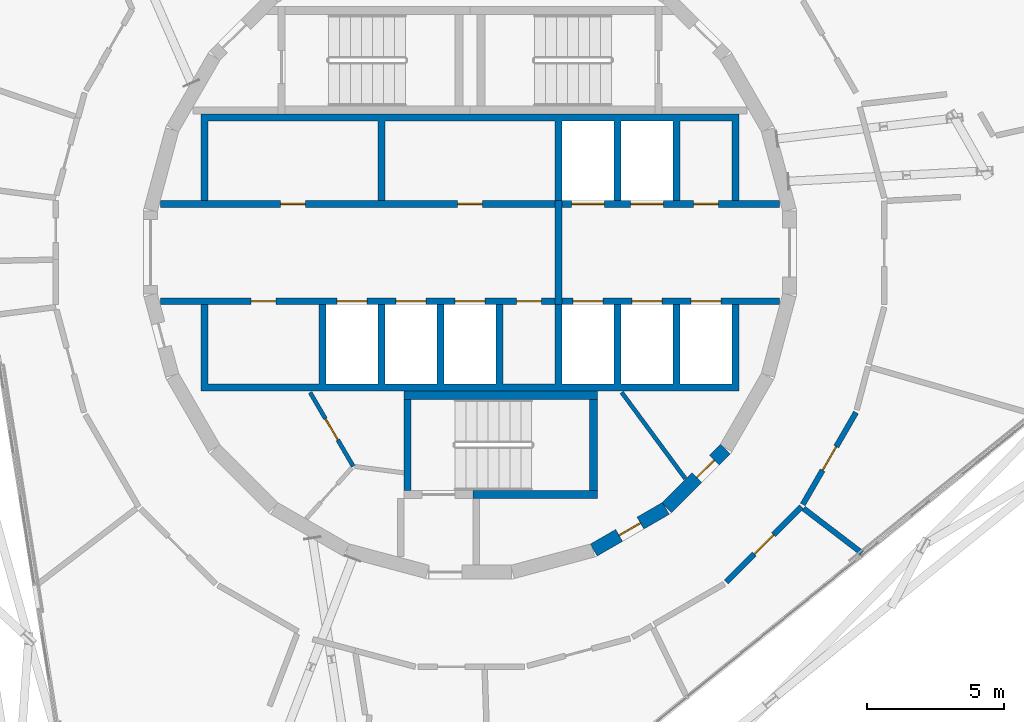
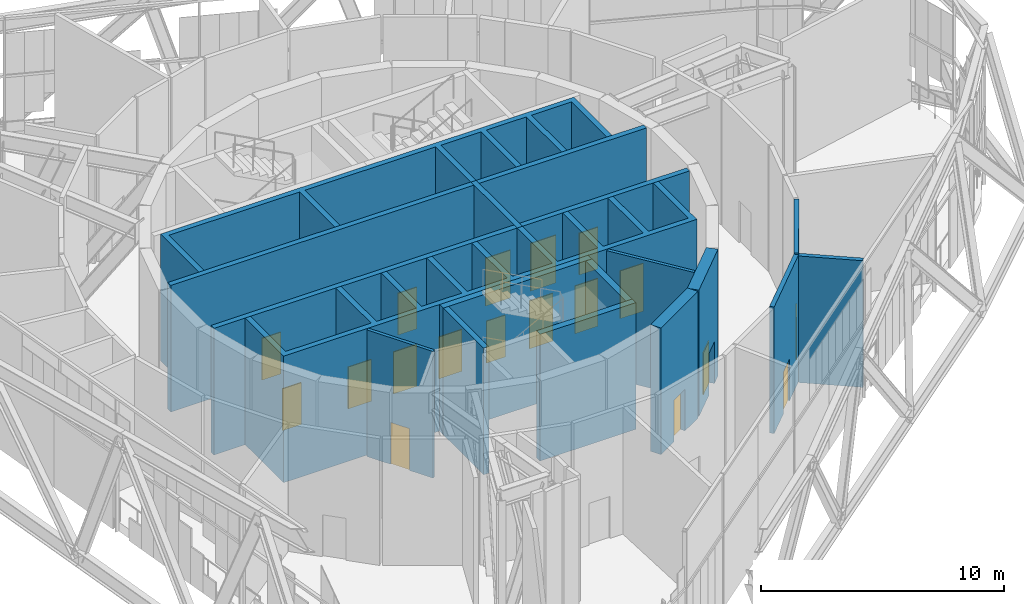
# One storey, part 20 of 25: 18 doors, 18 walls, 18 openings.
"""IFC4 building model written with IfcOpenShell, lengths in metres."""

from ifc_helpers import new_model, si_unit, direction, frame, frame_2d, origin, place, context, subcontext, project, spatial, polyline, rectangle, outline, extrude, material, layer, layer_set, type_object, element, fill, save


model = new_model("IFC4")

# Units and contexts
model_context = context("Model", 3, precision=1e-05, world=origin(), true_north=direction((0.0, 1.0)))
body_context = subcontext(model_context, "Body", "Model", "MODEL_VIEW")
ifc_project = project(units=[si_unit("LENGTHUNIT", "METRE"), si_unit("AREAUNIT", "SQUARE_METRE"), si_unit("VOLUMEUNIT", "CUBIC_METRE"), si_unit("PLANEANGLEUNIT", "RADIAN"), si_unit("MASSUNIT", "GRAM", prefix="KILO")], contexts=[model_context])

# Site, building, storey
site_placement = place(None, origin())
site = spatial("IfcSite", under=ifc_project, at=site_placement, CompositionType="ELEMENT")
building_placement = place(site_placement, origin())
building = spatial("IfcBuilding", under=site, at=building_placement, Name="Spindle Arch Residences", CompositionType="ELEMENT")
storey_placement = place(building_placement, frame((0.0, 0.0, 291.39990234375)))
storey = spatial("IfcBuildingStorey", under=building, at=storey_placement, Name="L75", CompositionType="ELEMENT", Elevation=291.39990234375)

# Wall, opening, door
ifc_material_1 = material(Name="Concrete C50/60", Category="concrete")
ifc_layer_1 = layer(ifc_material_1, 0.5)
ifc_layer_set_1 = layer_set([ifc_layer_1], Name="Core outline wall 500")
wall_type_1 = type_object("IfcWallType", Name="Core outline wall 500", PredefinedType="SHEAR", material=ifc_layer_set_1)
wall_1_placement = place(storey_placement, frame((4.510498046875, -10.84521484375, 0.0), z_axis=(0.0, 0.0, 1.0), x_axis=(0.865975092491, 0.500087131594, 0.0)))
wall_1 = element("IfcWall", 1, at=wall_1_placement, inside=storey, type_object=wall_type_1, Name="Core outline wall 2", PredefinedType="SHEAR", context=body_context, shape_type="SweptSolid", body=[
    extrude(rectangle(XDim=3.03271484375, YDim=0.5, at=frame_2d((1.516357421875, 0.0))), origin(), (0.0, 0.0, 1.0), 6.35009765625),
])
opening_1_placement = place(wall_1_placement, frame((1.06640625, 0.0, 0.0)))
opening_1 = element("IfcOpeningElement", 2, at=opening_1_placement, cuts=wall_1, Name="Opening L75-WD08", PredefinedType="OPENING", context=body_context, shape_type="SweptSolid", body=[
    extrude(rectangle(XDim=0.89990234375, YDim=2.10009765625, at=frame_2d((0.449951171875, 1.050048828125))), frame((0.0, 0.260009765625, 0.0), z_axis=(0.0, -1.0, 0.0), x_axis=(1.0, 0.0, 0.0)), (0.0, 0.0, 1.0), 0.52001953125),
])
ifc_material_2 = material(Name="Steel, fire-resisting door", Category="steel")
door_type_1 = type_object("IfcDoorType", Name="Service room door 900x2100", OperationType="SINGLE_SWING_LEFT", PredefinedType="DOOR", material=ifc_material_2)
door_1_placement = place(opening_1_placement, origin())
door_1 = element("IfcDoor", 3, at=door_1_placement, inside=storey, type_object=door_type_1, Name="Service room door L75-WD08", OperationType="SINGLE_SWING_RIGHT", OverallHeight=2.10009765625, OverallWidth=0.89990234375, PredefinedType="DOOR", context=body_context, shape_type="SweptSolid", body=[
    extrude(rectangle(XDim=0.89990234375, YDim=2.10009765625, at=frame_2d((0.449951171875, 1.050048828125))), frame((0.0, 0.02490234375, 0.0), z_axis=(0.0, -1.0, 0.0), x_axis=(1.0, 0.0, 0.0)), (0.0, 0.0, 1.0), 0.050048828125),
])
fill(opening_1, door_1)

wall_2_placement = place(storey_placement, frame((7.163818359375, -9.30810546875, 0.0), z_axis=(0.0, 0.0, 1.0), x_axis=(0.707106781187, 0.707106781187, 0.0)))
wall_2 = element("IfcWall", 4, at=wall_2_placement, inside=storey, type_object=wall_type_1, Name="Core outline wall 3", PredefinedType="SHEAR", context=body_context, shape_type="SweptSolid", body=[
    extrude(rectangle(XDim=3.032470703125, YDim=0.5, at=frame_2d((1.51611328125, 0.0))), origin(), (0.0, 0.0, 1.0), 6.35009765625),
])
opening_2_placement = place(wall_2_placement, frame((1.56640625, 0.0, 0.0)))
opening_2 = element("IfcOpeningElement", 5, at=opening_2_placement, cuts=wall_2, Name="Opening L75-WD09", PredefinedType="OPENING", context=body_context, shape_type="SweptSolid", body=[
    extrude(rectangle(XDim=0.89990234375, YDim=2.10009765625, at=frame_2d((0.449951171875, 1.050048828125))), frame((0.0, 0.260009765625, 0.0), z_axis=(0.0, -1.0, 0.0), x_axis=(1.0, 0.0, 0.0)), (0.0, 0.0, 1.0), 0.52001953125),
])
door_2_placement = place(opening_2_placement, origin())
door_2 = element("IfcDoor", 6, at=door_2_placement, inside=storey, type_object=door_type_1, Name="Service room door L75-WD09", OperationType="SINGLE_SWING_LEFT", OverallHeight=2.10009765625, OverallWidth=0.89990234375, PredefinedType="DOOR", context=body_context, shape_type="SweptSolid", body=[
    extrude(rectangle(XDim=0.89990234375, YDim=2.10009765625, at=frame_2d((0.449951171875, 1.050048828125))), frame((0.0, 0.02490234375, 0.0), z_axis=(0.0, -1.0, 0.0), x_axis=(1.0, 0.0, 0.0)), (0.0, 0.0, 1.0), 0.050048828125),
])
fill(opening_2, door_2)

# Wall, openings, doors
ifc_material_3 = material(Name="Concrete C40/50", Category="concrete")
ifc_layer_2 = layer(ifc_material_3, 0.25)
ifc_layer_set_2 = layer_set([ifc_layer_2], Name="Fire-lift lobby wall 250")
wall_type_2 = type_object("IfcWallType", Name="Fire-lift lobby wall 250", PredefinedType="SHEAR", material=ifc_layer_set_2)
wall_3_placement = place(storey_placement, frame((3.35009765625, 1.77490234375, 0.0), z_axis=(0.0, 0.0, 1.0), x_axis=(1.0, 0.0, 0.0)))
wall_3 = element("IfcWall", 7, at=wall_3_placement, inside=storey, type_object=wall_type_2, Name="Lift shaft front wall NE", PredefinedType="SHEAR", context=body_context, shape_type="SweptSolid", body=[
    extrude(rectangle(XDim=7.929931640625, YDim=0.25, at=frame_2d((3.96484375, 0.0))), origin(), (0.0, 0.0, 1.0), 6.35009765625),
])
opening_3_placement = place(wall_3_placement, frame((0.35009765625, 0.0, 0.0)))
opening_3 = element("IfcOpeningElement", 8, at=opening_3_placement, cuts=wall_3, Name="Opening L75-SLD01", PredefinedType="OPENING", context=body_context, shape_type="SweptSolid", body=[
    extrude(rectangle(XDim=1.199951171875, YDim=2.39990234375, at=frame_2d((0.60009765625, 1.199951171875))), frame((0.0, 0.135009765625, 0.0), z_axis=(0.0, -1.0, 0.0), x_axis=(1.0, 0.0, 0.0)), (0.0, 0.0, 1.0), 0.27001953125),
])
opening_4_placement = place(wall_3_placement, frame((2.5, 0.0, 0.0)))
opening_4 = element("IfcOpeningElement", 9, at=opening_4_placement, cuts=wall_3, Name="Opening L75-SLD02", PredefinedType="OPENING", context=body_context, shape_type="SweptSolid", body=[
    extrude(rectangle(XDim=1.199951171875, YDim=2.39990234375, at=frame_2d((0.60009765625, 1.199951171875))), frame((0.0, 0.135009765625, 0.0), z_axis=(0.0, -1.0, 0.0), x_axis=(1.0, 0.0, 0.0)), (0.0, 0.0, 1.0), 0.27001953125),
])
opening_5_placement = place(wall_3_placement, frame((4.800048828125, 0.0, 0.0)))
opening_5 = element("IfcOpeningElement", 10, at=opening_5_placement, cuts=wall_3, Name="Opening L75-WD03", PredefinedType="OPENING", context=body_context, shape_type="SweptSolid", body=[
    extrude(rectangle(XDim=0.89990234375, YDim=2.10009765625, at=frame_2d((0.449951171875, 1.050048828125))), frame((0.0, 0.135009765625, 0.0), z_axis=(0.0, -1.0, 0.0), x_axis=(1.0, 0.0, 0.0)), (0.0, 0.0, 1.0), 0.27001953125),
])
ifc_material_4 = material(Name="Steel, fire-resisting landing door", Category="steel")
door_type_2 = type_object("IfcDoorType", Name="Service lift landing door 1200x2400", OperationType="DOUBLE_DOOR_SLIDING", PredefinedType="DOOR", material=ifc_material_4)
door_3_placement = place(opening_3_placement, origin())
door_3 = element("IfcDoor", 11, at=door_3_placement, inside=storey, type_object=door_type_2, Name="Service lift landing door L75-SLD01", OperationType="DOUBLE_DOOR_SLIDING", OverallHeight=2.39990234375, OverallWidth=1.199951171875, PredefinedType="DOOR", context=body_context, shape_type="SweptSolid", body=[
    extrude(rectangle(XDim=1.199951171875, YDim=2.39990234375, at=frame_2d((0.60009765625, 1.199951171875))), frame((0.0, 0.02490234375, 0.0), z_axis=(0.0, -1.0, 0.0), x_axis=(1.0, 0.0, 0.0)), (0.0, 0.0, 1.0), 0.050048828125),
])
fill(opening_3, door_3)
door_4_placement = place(opening_4_placement, origin())
door_4 = element("IfcDoor", 12, at=door_4_placement, inside=storey, type_object=door_type_2, Name="Service lift landing door L75-SLD02", OperationType="DOUBLE_DOOR_SLIDING", OverallHeight=2.39990234375, OverallWidth=1.199951171875, PredefinedType="DOOR", context=body_context, shape_type="SweptSolid", body=[
    extrude(rectangle(XDim=1.199951171875, YDim=2.39990234375, at=frame_2d((0.60009765625, 1.199951171875))), frame((0.0, 0.02490234375, 0.0), z_axis=(0.0, -1.0, 0.0), x_axis=(1.0, 0.0, 0.0)), (0.0, 0.0, 1.0), 0.050048828125),
])
fill(opening_4, door_4)
door_5_placement = place(opening_5_placement, origin())
door_5 = element("IfcDoor", 13, at=door_5_placement, inside=storey, type_object=door_type_1, Name="Service room door L75-WD03", OperationType="SINGLE_SWING_LEFT", OverallHeight=2.10009765625, OverallWidth=0.89990234375, PredefinedType="DOOR", context=body_context, shape_type="SweptSolid", body=[
    extrude(rectangle(XDim=0.89990234375, YDim=2.10009765625, at=frame_2d((0.449951171875, 1.050048828125))), frame((0.0, 0.02490234375, 0.0), z_axis=(0.0, -1.0, 0.0), x_axis=(1.0, 0.0, 0.0)), (0.0, 0.0, 1.0), 0.050048828125),
])
fill(opening_5, door_5)

# Wall
wall_4_placement = place(storey_placement, frame((3.22509765625, -1.89990234375, 0.0), z_axis=(0.0, 0.0, 1.0), x_axis=(0.0, 1.0, 0.0)))
element("IfcWall", 14, at=wall_4_placement, inside=storey, type_object=wall_type_2, Name="Fire-fighting lobby partition", PredefinedType="SHEAR", context=body_context, shape_type="SweptSolid", body=[
    extrude(rectangle(XDim=3.7998046875, YDim=0.25, at=frame_2d((1.89990234375, 0.0))), origin(), (0.0, 0.0, 1.0), 6.35009765625),
])

# Wall, openings, doors
ifc_material_5 = material(Name="Concrete C50/60", Category="concrete")
ifc_layer_3 = layer(ifc_material_5, 0.25)
ifc_layer_set_3 = layer_set([ifc_layer_3], Name="Fire-lift shaft wall 250")
wall_type_3 = type_object("IfcWallType", Name="Fire-lift shaft wall 250", PredefinedType="SHEAR", material=ifc_layer_set_3)
wall_5_placement = place(storey_placement, frame((3.35009765625, -1.77490234375, 0.0), z_axis=(0.0, 0.0, 1.0), x_axis=(1.0, 0.0, 0.0)))
wall_5 = element("IfcWall", 15, at=wall_5_placement, inside=storey, type_object=wall_type_3, Name="Lift shaft front wall SE", PredefinedType="SHEAR", context=body_context, shape_type="SweptSolid", body=[
    extrude(rectangle(XDim=7.929931640625, YDim=0.25, at=frame_2d((3.96484375, 0.0))), origin(), (0.0, 0.0, 1.0), 6.35009765625),
])
opening_6_placement = place(wall_5_placement, frame((0.39990234375, 0.0, 0.0)))
opening_6 = element("IfcOpeningElement", 16, at=opening_6_placement, cuts=wall_5, Name="Opening L75-FLD01", PredefinedType="OPENING", context=body_context, shape_type="SweptSolid", body=[
    extrude(rectangle(XDim=1.10009765625, YDim=2.39990234375, at=frame_2d((0.550048828125, 1.199951171875))), frame((0.0, 0.135009765625, 0.0), z_axis=(0.0, -1.0, 0.0), x_axis=(1.0, 0.0, 0.0)), (0.0, 0.0, 1.0), 0.27001953125),
])
opening_7_placement = place(wall_5_placement, frame((2.550048828125, 0.0, 0.0)))
opening_7 = element("IfcOpeningElement", 17, at=opening_7_placement, cuts=wall_5, Name="Opening L75-FLD02", PredefinedType="OPENING", context=body_context, shape_type="SweptSolid", body=[
    extrude(rectangle(XDim=1.10009765625, YDim=2.39990234375, at=frame_2d((0.550048828125, 1.199951171875))), frame((0.0, 0.135009765625, 0.0), z_axis=(0.0, -1.0, 0.0), x_axis=(1.0, 0.0, 0.0)), (0.0, 0.0, 1.0), 0.27001953125),
])
opening_8_placement = place(wall_5_placement, frame((4.699951171875, 0.0, 0.0)))
opening_8 = element("IfcOpeningElement", 18, at=opening_8_placement, cuts=wall_5, Name="Opening L75-FLD03", PredefinedType="OPENING", context=body_context, shape_type="SweptSolid", body=[
    extrude(rectangle(XDim=1.10009765625, YDim=2.39990234375, at=frame_2d((0.550048828125, 1.199951171875))), frame((0.0, 0.135009765625, 0.0), z_axis=(0.0, -1.0, 0.0), x_axis=(1.0, 0.0, 0.0)), (0.0, 0.0, 1.0), 0.27001953125),
])
ifc_material_6 = material(Name="Steel, fire-resisting landing door", Category="steel")
door_type_3 = type_object("IfcDoorType", Name="Fire-fighting lift landing door 1100x2400", OperationType="DOUBLE_DOOR_SLIDING", PredefinedType="DOOR", material=ifc_material_6)
door_6_placement = place(opening_6_placement, origin())
door_6 = element("IfcDoor", 19, at=door_6_placement, inside=storey, type_object=door_type_3, Name="Fire-fighting lift landing door L75-FLD01", OperationType="DOUBLE_DOOR_SLIDING", OverallHeight=2.39990234375, OverallWidth=1.10009765625, PredefinedType="DOOR", context=body_context, shape_type="SweptSolid", body=[
    extrude(rectangle(XDim=1.10009765625, YDim=2.39990234375, at=frame_2d((0.550048828125, 1.199951171875))), frame((0.0, 0.02490234375, 0.0), z_axis=(0.0, -1.0, 0.0), x_axis=(1.0, 0.0, 0.0)), (0.0, 0.0, 1.0), 0.050048828125),
])
fill(opening_6, door_6)
door_7_placement = place(opening_7_placement, origin())
door_7 = element("IfcDoor", 20, at=door_7_placement, inside=storey, type_object=door_type_3, Name="Fire-fighting lift landing door L75-FLD02", OperationType="DOUBLE_DOOR_SLIDING", OverallHeight=2.39990234375, OverallWidth=1.10009765625, PredefinedType="DOOR", context=body_context, shape_type="SweptSolid", body=[
    extrude(rectangle(XDim=1.10009765625, YDim=2.39990234375, at=frame_2d((0.550048828125, 1.199951171875))), frame((0.0, 0.02490234375, 0.0), z_axis=(0.0, -1.0, 0.0), x_axis=(1.0, 0.0, 0.0)), (0.0, 0.0, 1.0), 0.050048828125),
])
fill(opening_7, door_7)
door_8_placement = place(opening_8_placement, origin())
door_8 = element("IfcDoor", 21, at=door_8_placement, inside=storey, type_object=door_type_3, Name="Fire-fighting lift landing door L75-FLD03", OperationType="DOUBLE_DOOR_SLIDING", OverallHeight=2.39990234375, OverallWidth=1.10009765625, PredefinedType="DOOR", context=body_context, shape_type="SweptSolid", body=[
    extrude(rectangle(XDim=1.10009765625, YDim=2.39990234375, at=frame_2d((0.550048828125, 1.199951171875))), frame((0.0, 0.02490234375, 0.0), z_axis=(0.0, -1.0, 0.0), x_axis=(1.0, 0.0, 0.0)), (0.0, 0.0, 1.0), 0.050048828125),
])
fill(opening_8, door_8)

ifc_material_7 = material(Name="Concrete C50/60", Category="concrete")
ifc_layer_4 = layer(ifc_material_7, 0.25)
ifc_layer_set_4 = layer_set([ifc_layer_4], Name="Lift shaft wall 250")
wall_type_4 = type_object("IfcWallType", Name="Lift shaft wall 250", PredefinedType="SHEAR", material=ifc_layer_set_4)
wall_6_placement = place(storey_placement, frame((-11.280029296875, 1.77490234375, 0.0), z_axis=(0.0, 0.0, 1.0), x_axis=(1.0, 0.0, 0.0)))
wall_6 = element("IfcWall", 22, at=wall_6_placement, inside=storey, type_object=wall_type_4, Name="Lift shaft front wall NW", PredefinedType="SHEAR", context=body_context, shape_type="SweptSolid", body=[
    extrude(rectangle(XDim=14.380126953125, YDim=0.25, at=frame_2d((7.18994140625, 0.0))), origin(), (0.0, 0.0, 1.0), 6.35009765625),
])
opening_9_placement = place(wall_6_placement, frame((4.3798828125, 0.0, 0.0)))
opening_9 = element("IfcOpeningElement", 23, at=opening_9_placement, cuts=wall_6, Name="Opening L75-WD01", PredefinedType="OPENING", context=body_context, shape_type="SweptSolid", body=[
    extrude(rectangle(XDim=0.89990234375, YDim=2.10009765625, at=frame_2d((0.449951171875, 1.050048828125))), frame((0.0, 0.135009765625, 0.0), z_axis=(0.0, -1.0, 0.0), x_axis=(1.0, 0.0, 0.0)), (0.0, 0.0, 1.0), 0.27001953125),
])
opening_10_placement = place(wall_6_placement, frame((10.830078125, 0.0, 0.0)))
opening_10 = element("IfcOpeningElement", 24, at=opening_10_placement, cuts=wall_6, Name="Opening L75-WD02", PredefinedType="OPENING", context=body_context, shape_type="SweptSolid", body=[
    extrude(rectangle(XDim=0.89990234375, YDim=2.10009765625, at=frame_2d((0.449951171875, 1.050048828125))), frame((0.0, 0.135009765625, 0.0), z_axis=(0.0, -1.0, 0.0), x_axis=(1.0, 0.0, 0.0)), (0.0, 0.0, 1.0), 0.27001953125),
])
door_9_placement = place(opening_9_placement, origin())
door_9 = element("IfcDoor", 25, at=door_9_placement, inside=storey, type_object=door_type_1, Name="Service room door L75-WD01", OperationType="SINGLE_SWING_LEFT", OverallHeight=2.10009765625, OverallWidth=0.89990234375, PredefinedType="DOOR", context=body_context, shape_type="SweptSolid", body=[
    extrude(rectangle(XDim=0.89990234375, YDim=2.10009765625, at=frame_2d((0.449951171875, 1.050048828125))), frame((0.0, 0.02490234375, 0.0), z_axis=(0.0, -1.0, 0.0), x_axis=(1.0, 0.0, 0.0)), (0.0, 0.0, 1.0), 0.050048828125),
])
fill(opening_9, door_9)
door_10_placement = place(opening_10_placement, origin())
door_10 = element("IfcDoor", 26, at=door_10_placement, inside=storey, type_object=door_type_1, Name="Service room door L75-WD02", OperationType="SINGLE_SWING_RIGHT", OverallHeight=2.10009765625, OverallWidth=0.89990234375, PredefinedType="DOOR", context=body_context, shape_type="SweptSolid", body=[
    extrude(rectangle(XDim=0.89990234375, YDim=2.10009765625, at=frame_2d((0.449951171875, 1.050048828125))), frame((0.0, 0.02490234375, 0.0), z_axis=(0.0, -1.0, 0.0), x_axis=(1.0, 0.0, 0.0)), (0.0, 0.0, 1.0), 0.050048828125),
])
fill(opening_10, door_10)

wall_7_placement = place(storey_placement, frame((-11.280029296875, -1.77490234375, 0.0), z_axis=(0.0, 0.0, 1.0), x_axis=(1.0, 0.0, 0.0)))
wall_7 = element("IfcWall", 27, at=wall_7_placement, inside=storey, type_object=wall_type_4, Name="Lift shaft front wall SW", PredefinedType="SHEAR", context=body_context, shape_type="SweptSolid", body=[
    extrude(rectangle(XDim=14.380126953125, YDim=0.25, at=frame_2d((7.18994140625, 0.0))), origin(), (0.0, 0.0, 1.0), 6.35009765625),
])
opening_11_placement = place(wall_7_placement, frame((6.429931640625, 0.0, 0.0)))
opening_11 = element("IfcOpeningElement", 28, at=opening_11_placement, cuts=wall_7, Name="Opening L75-LD01", PredefinedType="OPENING", context=body_context, shape_type="SweptSolid", body=[
    extrude(rectangle(XDim=1.10009765625, YDim=2.10009765625, at=frame_2d((0.550048828125, 1.050048828125))), frame((0.0, 0.135009765625, 0.0), z_axis=(0.0, -1.0, 0.0), x_axis=(1.0, 0.0, 0.0)), (0.0, 0.0, 1.0), 0.27001953125),
])
opening_12_placement = place(wall_7_placement, frame((8.580078125, 0.0, 0.0)))
opening_12 = element("IfcOpeningElement", 29, at=opening_12_placement, cuts=wall_7, Name="Opening L75-LD02", PredefinedType="OPENING", context=body_context, shape_type="SweptSolid", body=[
    extrude(rectangle(XDim=1.10009765625, YDim=2.10009765625, at=frame_2d((0.550048828125, 1.050048828125))), frame((0.0, 0.135009765625, 0.0), z_axis=(0.0, -1.0, 0.0), x_axis=(1.0, 0.0, 0.0)), (0.0, 0.0, 1.0), 0.27001953125),
])
opening_13_placement = place(wall_7_placement, frame((10.72998046875, 0.0, 0.0)))
opening_13 = element("IfcOpeningElement", 30, at=opening_13_placement, cuts=wall_7, Name="Opening L75-LD03", PredefinedType="OPENING", context=body_context, shape_type="SweptSolid", body=[
    extrude(rectangle(XDim=1.10009765625, YDim=2.10009765625, at=frame_2d((0.550048828125, 1.050048828125))), frame((0.0, 0.135009765625, 0.0), z_axis=(0.0, -1.0, 0.0), x_axis=(1.0, 0.0, 0.0)), (0.0, 0.0, 1.0), 0.27001953125),
])
opening_14_placement = place(wall_7_placement, frame((3.304931640625, 0.0, 0.0)))
opening_14 = element("IfcOpeningElement", 31, at=opening_14_placement, cuts=wall_7, Name="Opening L75-WD04", PredefinedType="OPENING", context=body_context, shape_type="SweptSolid", body=[
    extrude(rectangle(XDim=0.89990234375, YDim=2.10009765625, at=frame_2d((0.449951171875, 1.050048828125))), frame((0.0, 0.135009765625, 0.0), z_axis=(0.0, -1.0, 0.0), x_axis=(1.0, 0.0, 0.0)), (0.0, 0.0, 1.0), 0.27001953125),
])
opening_15_placement = place(wall_7_placement, frame((12.97998046875, 0.0, 0.0)))
opening_15 = element("IfcOpeningElement", 32, at=opening_15_placement, cuts=wall_7, Name="Opening L75-WD05", PredefinedType="OPENING", context=body_context, shape_type="SweptSolid", body=[
    extrude(rectangle(XDim=0.89990234375, YDim=2.10009765625, at=frame_2d((0.449951171875, 1.050048828125))), frame((0.0, 0.135009765625, 0.0), z_axis=(0.0, -1.0, 0.0), x_axis=(1.0, 0.0, 0.0)), (0.0, 0.0, 1.0), 0.27001953125),
])
ifc_material_8 = material(Name="Steel, fire-resisting landing door", Category="steel")
door_type_4 = type_object("IfcDoorType", Name="Lift landing door 1100x2100", OperationType="DOUBLE_DOOR_SLIDING", PredefinedType="DOOR", material=ifc_material_8)
door_11_placement = place(opening_11_placement, origin())
door_11 = element("IfcDoor", 33, at=door_11_placement, inside=storey, type_object=door_type_4, Name="Lift landing door L75-LD01", OperationType="DOUBLE_DOOR_SLIDING", OverallHeight=2.10009765625, OverallWidth=1.10009765625, PredefinedType="DOOR", context=body_context, shape_type="SweptSolid", body=[
    extrude(rectangle(XDim=1.10009765625, YDim=2.10009765625, at=frame_2d((0.550048828125, 1.050048828125))), frame((0.0, 0.02490234375, 0.0), z_axis=(0.0, -1.0, 0.0), x_axis=(1.0, 0.0, 0.0)), (0.0, 0.0, 1.0), 0.050048828125),
])
fill(opening_11, door_11)
door_12_placement = place(opening_12_placement, origin())
door_12 = element("IfcDoor", 34, at=door_12_placement, inside=storey, type_object=door_type_4, Name="Lift landing door L75-LD02", OperationType="DOUBLE_DOOR_SLIDING", OverallHeight=2.10009765625, OverallWidth=1.10009765625, PredefinedType="DOOR", context=body_context, shape_type="SweptSolid", body=[
    extrude(rectangle(XDim=1.10009765625, YDim=2.10009765625, at=frame_2d((0.550048828125, 1.050048828125))), frame((0.0, 0.02490234375, 0.0), z_axis=(0.0, -1.0, 0.0), x_axis=(1.0, 0.0, 0.0)), (0.0, 0.0, 1.0), 0.050048828125),
])
fill(opening_12, door_12)
door_13_placement = place(opening_13_placement, origin())
door_13 = element("IfcDoor", 35, at=door_13_placement, inside=storey, type_object=door_type_4, Name="Lift landing door L75-LD03", OperationType="DOUBLE_DOOR_SLIDING", OverallHeight=2.10009765625, OverallWidth=1.10009765625, PredefinedType="DOOR", context=body_context, shape_type="SweptSolid", body=[
    extrude(rectangle(XDim=1.10009765625, YDim=2.10009765625, at=frame_2d((0.550048828125, 1.050048828125))), frame((0.0, 0.02490234375, 0.0), z_axis=(0.0, -1.0, 0.0), x_axis=(1.0, 0.0, 0.0)), (0.0, 0.0, 1.0), 0.050048828125),
])
fill(opening_13, door_13)
door_14_placement = place(opening_14_placement, origin())
door_14 = element("IfcDoor", 36, at=door_14_placement, inside=storey, type_object=door_type_1, Name="Service room door L75-WD04", OperationType="SINGLE_SWING_RIGHT", OverallHeight=2.10009765625, OverallWidth=0.89990234375, PredefinedType="DOOR", context=body_context, shape_type="SweptSolid", body=[
    extrude(rectangle(XDim=0.89990234375, YDim=2.10009765625, at=frame_2d((0.449951171875, 1.050048828125))), frame((0.0, 0.02490234375, 0.0), z_axis=(0.0, -1.0, 0.0), x_axis=(1.0, 0.0, 0.0)), (0.0, 0.0, 1.0), 0.050048828125),
])
fill(opening_14, door_14)
door_15_placement = place(opening_15_placement, origin())
door_15 = element("IfcDoor", 37, at=door_15_placement, inside=storey, type_object=door_type_1, Name="Service room door L75-WD05", OperationType="SINGLE_SWING_LEFT", OverallHeight=2.10009765625, OverallWidth=0.89990234375, PredefinedType="DOOR", context=body_context, shape_type="SweptSolid", body=[
    extrude(rectangle(XDim=0.89990234375, YDim=2.10009765625, at=frame_2d((0.449951171875, 1.050048828125))), frame((0.0, 0.02490234375, 0.0), z_axis=(0.0, -1.0, 0.0), x_axis=(1.0, 0.0, 0.0)), (0.0, 0.0, 1.0), 0.050048828125),
])
fill(opening_15, door_15)

# Walls
ifc_material_9 = material(Name="Concrete C50/60", Category="concrete")
wall_type_5 = type_object("IfcWallType", Name="Lift shaft wall profile", PredefinedType="SHEAR", material=ifc_material_9)
wall_8_placement = place(storey_placement, origin())
element("IfcWall", 38, at=wall_8_placement, inside=storey, type_object=wall_type_5, Name="Lift shaft walls N", PredefinedType="SHEAR", context=body_context, shape_type="SweptSolid", body=[
    extrude(outline(polyline([(-9.800048828125, 1.89990234375), (-9.550048828125, 1.89990234375), (-9.550048828125, 4.800048828125), (-3.35009765625, 4.800048828125), (-3.35009765625, 1.89990234375), (-3.10009765625, 1.89990234375), (-3.10009765625, 4.800048828125), (3.10009765625, 4.800048828125), (3.10009765625, 1.89990234375), (3.35009765625, 1.89990234375), (3.35009765625, 4.800048828125), (5.25, 4.800048828125), (5.25, 1.89990234375), (5.5, 1.89990234375), (5.5, 4.800048828125), (7.39990234375, 4.800048828125), (7.39990234375, 1.89990234375), (7.64990234375, 1.89990234375), (7.64990234375, 4.800048828125), (9.550048828125, 4.800048828125), (9.550048828125, 1.89990234375), (9.800048828125, 1.89990234375), (9.800048828125, 4.800048828125), (9.800048828125, 5.050048828125), (-9.800048828125, 5.050048828125), (-9.800048828125, 4.800048828125), (-9.800048828125, 1.89990234375)])), origin(), (0.0, 0.0, 1.0), 6.35009765625),
])
wall_9_placement = place(storey_placement, origin())
element("IfcWall", 39, at=wall_9_placement, inside=storey, type_object=wall_type_5, Name="Lift shaft walls S", PredefinedType="SHEAR", context=body_context, shape_type="SweptSolid", body=[
    extrude(outline(polyline([(9.800048828125, -5.050048828125), (9.800048828125, -4.800048828125), (9.800048828125, -1.89990234375), (9.550048828125, -1.89990234375), (9.550048828125, -4.800048828125), (7.64990234375, -4.800048828125), (7.64990234375, -1.89990234375), (7.39990234375, -1.89990234375), (7.39990234375, -4.800048828125), (5.5, -4.800048828125), (5.5, -1.89990234375), (5.25, -1.89990234375), (5.25, -4.800048828125), (3.35009765625, -4.800048828125), (3.35009765625, -1.89990234375), (3.10009765625, -1.89990234375), (3.10009765625, -4.800048828125), (1.199951171875, -4.800048828125), (1.199951171875, -1.89990234375), (0.949951171875, -1.89990234375), (0.949951171875, -4.800048828125), (-0.949951171875, -4.800048828125), (-0.949951171875, -1.89990234375), (-1.199951171875, -1.89990234375), (-1.199951171875, -4.800048828125), (-3.10009765625, -4.800048828125), (-3.10009765625, -1.89990234375), (-3.35009765625, -1.89990234375), (-3.35009765625, -4.800048828125), (-5.25, -4.800048828125), (-5.25, -1.89990234375), (-5.5, -1.89990234375), (-5.5, -4.800048828125), (-9.550048828125, -4.800048828125), (-9.550048828125, -1.89990234375), (-9.800048828125, -1.89990234375), (-9.800048828125, -4.800048828125), (-9.800048828125, -5.050048828125), (9.800048828125, -5.050048828125)])), origin(), (0.0, 0.0, 1.0), 6.35009765625),
])

# Wall, opening, door
ifc_material_10 = material(Name="Gypsum board partition on steel studs", Category="steel")
ifc_layer_5 = layer(ifc_material_10, 0.199951171875)
ifc_layer_set_5 = layer_set([ifc_layer_5], Name="Partition EI 60 200 amenity")
wall_type_6 = type_object("IfcWallType", Name="Partition EI 60 200 amenity", PredefinedType="PARTITIONING", material=ifc_layer_set_5)
wall_10_placement = place(storey_placement, frame((9.3408203125, -12.00927734375, 0.0), z_axis=(0.0, 0.0, 1.0), x_axis=(0.707106781187, 0.707106781187, 0.0)))
wall_10 = element("IfcWall", 40, at=wall_10_placement, inside=storey, type_object=wall_type_6, Name="L75-W047", PredefinedType="PARTITIONING", context=body_context, shape_type="SweptSolid", body=[
    extrude(rectangle(XDim=3.873779296875, YDim=0.199951171875, at=frame_2d((1.93701171875, 0.0))), origin(), (0.0, 0.0, 1.0), 6.35009765625),
])
opening_16_placement = place(wall_10_placement, frame((1.43701171875, 0.0, 0.0)))
opening_16 = element("IfcOpeningElement", 41, at=opening_16_placement, cuts=wall_10, Name="Opening L75-D04", PredefinedType="OPENING", context=body_context, shape_type="SweptSolid", body=[
    extrude(rectangle(XDim=1.0, YDim=2.10009765625, at=frame_2d((0.5, 1.050048828125))), frame((0.0, 0.10986328125, 0.0), z_axis=(0.0, -1.0, 0.0), x_axis=(1.0, 0.0, 0.0)), (0.0, 0.0, 1.0), 0.219970703125),
])
ifc_material_11 = material(Name="Timber door leaf", Category="wood")
door_type_5 = type_object("IfcDoorType", Name="Door 1000x2100 EI 30", OperationType="SINGLE_SWING_LEFT", PredefinedType="DOOR", material=ifc_material_11)
door_16_placement = place(opening_16_placement, origin())
door_16 = element("IfcDoor", 42, at=door_16_placement, inside=storey, type_object=door_type_5, Name="L75-D04", OperationType="SINGLE_SWING_LEFT", OverallHeight=2.10009765625, OverallWidth=1.0, PredefinedType="DOOR", context=body_context, shape_type="SweptSolid", body=[
    extrude(rectangle(XDim=1.0, YDim=2.10009765625, at=frame_2d((0.5, 1.050048828125))), frame((0.0, 0.02490234375, 0.0), z_axis=(0.0, -1.0, 0.0), x_axis=(1.0, 0.0, 0.0)), (0.0, 0.0, 1.0), 0.050048828125),
])
fill(opening_16, door_16)

wall_11_placement = place(storey_placement, frame((12.130126953125, -9.183349609375, 0.0), z_axis=(0.0, 0.0, 1.0), x_axis=(0.500760497952, 0.865585884642, 0.0)))
wall_11 = element("IfcWall", 43, at=wall_11_placement, inside=storey, type_object=wall_type_6, Name="L75-W052", PredefinedType="PARTITIONING", context=body_context, shape_type="SweptSolid", body=[
    extrude(rectangle(XDim=3.8740234375, YDim=0.199951171875, at=frame_2d((1.93701171875, 0.0))), origin(), (0.0, 0.0, 1.0), 6.35009765625),
])
opening_17_placement = place(wall_11_placement, frame((1.43701171875, 0.0, 0.0)))
opening_17 = element("IfcOpeningElement", 44, at=opening_17_placement, cuts=wall_11, Name="Opening L75-D05", PredefinedType="OPENING", context=body_context, shape_type="SweptSolid", body=[
    extrude(rectangle(XDim=1.0, YDim=2.10009765625, at=frame_2d((0.5, 1.050048828125))), frame((0.0, 0.10986328125, 0.0), z_axis=(0.0, -1.0, 0.0), x_axis=(1.0, 0.0, 0.0)), (0.0, 0.0, 1.0), 0.219970703125),
])
door_17_placement = place(opening_17_placement, origin())
door_17 = element("IfcDoor", 45, at=door_17_placement, inside=storey, type_object=door_type_5, Name="L75-D05", OperationType="SINGLE_SWING_LEFT", OverallHeight=2.10009765625, OverallWidth=1.0, PredefinedType="DOOR", context=body_context, shape_type="SweptSolid", body=[
    extrude(rectangle(XDim=1.0, YDim=2.10009765625, at=frame_2d((0.5, 1.050048828125))), frame((0.0, 0.02490234375, 0.0), z_axis=(0.0, -1.0, 0.0), x_axis=(1.0, 0.0, 0.0)), (0.0, 0.0, 1.0), 0.050048828125),
])
fill(opening_17, door_17)

# Walls
wall_12_placement = place(storey_placement, frame((12.159423828125, -9.330810546875, 0.0), z_axis=(0.0, 0.0, 1.0), x_axis=(0.794809542304, -0.606858955164, 0.0)))
element("IfcWall", 46, at=wall_12_placement, inside=storey, type_object=wall_type_6, Name="L75-W053", PredefinedType="PARTITIONING", context=body_context, shape_type="SweptSolid", body=[
    extrude(rectangle(XDim=2.66796875, YDim=0.199951171875, at=frame_2d((1.333984375, 0.0))), origin(), (0.0, 0.0, 1.0), 6.35009765625),
])
ifc_material_12 = material(Name="Concrete C25/30", Category="concrete")
ifc_layer_6 = layer(ifc_material_12, 0.14990234375)
ifc_layer_set_6 = layer_set([ifc_layer_6], Name="Service room partition 150")
wall_type_7 = type_object("IfcWallType", Name="Service room partition 150", PredefinedType="PARTITIONING", material=ifc_layer_set_6)
wall_13_placement = place(storey_placement, frame((5.528076171875, -5.098388671875, 0.0), z_axis=(0.0, 0.0, 1.0), x_axis=(0.594034318069, -0.804439698769, 0.0)))
element("IfcWall", 47, at=wall_13_placement, inside=storey, type_object=wall_type_7, Name="Core service room partition", PredefinedType="PARTITIONING", context=body_context, shape_type="SweptSolid", body=[
    extrude(rectangle(XDim=3.90673828125, YDim=0.14990234375, at=frame_2d((1.953369140625, 0.0))), origin(), (0.0, 0.0, 1.0), 6.35009765625),
])

# Wall, opening, door
wall_14_placement = place(storey_placement, frame((-5.8291015625, -5.101806640625, 0.0), z_axis=(0.0, 0.0, 1.0), x_axis=(0.504480008384, -0.863423373057, 0.0)))
wall_14 = element("IfcWall", 48, at=wall_14_placement, inside=storey, type_object=wall_type_7, Name="Core service room partition", PredefinedType="PARTITIONING", context=body_context, shape_type="SweptSolid", body=[
    extrude(rectangle(XDim=3.115234375, YDim=0.14990234375, at=frame_2d((1.5576171875, 0.0))), origin(), (0.0, 0.0, 1.0), 6.35009765625),
])
opening_18_placement = place(wall_14_placement, frame((1.107421875, 0.0, 0.0)))
opening_18 = element("IfcOpeningElement", 49, at=opening_18_placement, cuts=wall_14, Name="Opening L75-WD07", PredefinedType="OPENING", context=body_context, shape_type="SweptSolid", body=[
    extrude(rectangle(XDim=0.89990234375, YDim=2.10009765625, at=frame_2d((0.449951171875, 1.050048828125))), frame((0.0, 0.0849609375, 0.0), z_axis=(0.0, -1.0, 0.0), x_axis=(1.0, 0.0, 0.0)), (0.0, 0.0, 1.0), 0.169921875),
])
door_18_placement = place(opening_18_placement, origin())
door_18 = element("IfcDoor", 50, at=door_18_placement, inside=storey, type_object=door_type_1, Name="Service room door L75-WD07", OperationType="SINGLE_SWING_LEFT", OverallHeight=2.10009765625, OverallWidth=0.89990234375, PredefinedType="DOOR", context=body_context, shape_type="SweptSolid", body=[
    extrude(rectangle(XDim=0.89990234375, YDim=2.10009765625, at=frame_2d((0.449951171875, 1.050048828125))), frame((0.0, 0.02490234375, 0.0), z_axis=(0.0, -1.0, 0.0), x_axis=(1.0, 0.0, 0.0)), (0.0, 0.0, 1.0), 0.050048828125),
])
fill(opening_18, door_18)

# Walls
ifc_material_13 = material(Name="Concrete C50/60", Category="concrete")
ifc_layer_7 = layer(ifc_material_13, 0.25)
ifc_layer_set_7 = layer_set([ifc_layer_7], Name="Stair enclosure wall 250")
wall_type_8 = type_object("IfcWallType", Name="Stair enclosure wall 250", PredefinedType="SHEAR", material=ifc_layer_set_7)
wall_15_placement = place(storey_placement, frame((-2.27490234375, -8.669921875, 0.0), z_axis=(0.0, 0.0, 1.0), x_axis=(0.0, 1.0, 0.0)))
element("IfcWall", 51, at=wall_15_placement, inside=storey, type_object=wall_type_8, Name="Stair ST-3 enclosure wall W", PredefinedType="SHEAR", context=body_context, shape_type="SweptSolid", body=[
    extrude(rectangle(XDim=3.31982421875, YDim=0.25, at=frame_2d((1.659912109375, 0.0))), origin(), (0.0, 0.0, 1.0), 6.35009765625),
])
ifc_material_14 = material(Name="Concrete C50/60", Category="concrete")
ifc_layer_8 = layer(ifc_material_14, 0.300048828125)
ifc_layer_set_8 = layer_set([ifc_layer_8], Name="Stair enclosure wall 300")
wall_type_9 = type_object("IfcWallType", Name="Stair enclosure wall 300", PredefinedType="SHEAR", material=ifc_layer_set_8)
wall_16_placement = place(storey_placement, frame((-2.39990234375, -5.199951171875, 0.0), z_axis=(0.0, 0.0, 1.0), x_axis=(1.0, 0.0, 0.0)))
element("IfcWall", 52, at=wall_16_placement, inside=storey, type_object=wall_type_9, Name="Stair ST-3 enclosure wall N", PredefinedType="SHEAR", context=body_context, shape_type="SweptSolid", body=[
    extrude(rectangle(XDim=7.0498046875, YDim=0.300048828125, at=frame_2d((3.52490234375, 0.0))), origin(), (0.0, 0.0, 1.0), 6.35009765625),
])
wall_17_placement = place(storey_placement, frame((4.5, -8.669921875, 0.0), z_axis=(0.0, 0.0, 1.0), x_axis=(0.0, 1.0, 0.0)))
element("IfcWall", 53, at=wall_17_placement, inside=storey, type_object=wall_type_9, Name="Stair ST-3 enclosure wall E", PredefinedType="SHEAR", context=body_context, shape_type="SweptSolid", body=[
    extrude(rectangle(XDim=3.31982421875, YDim=0.300048828125, at=frame_2d((1.659912109375, 0.0))), origin(), (0.0, 0.0, 1.0), 6.35009765625),
])
wall_18_placement = place(storey_placement, frame((0.10009765625, -8.820068359375, 0.0), z_axis=(0.0, 0.0, 1.0), x_axis=(1.0, 0.0, 0.0)))
element("IfcWall", 54, at=wall_18_placement, inside=storey, type_object=wall_type_9, Name="Stair ST-3 enclosure wall S", PredefinedType="SHEAR", context=body_context, shape_type="SweptSolid", body=[
    extrude(rectangle(XDim=4.5498046875, YDim=0.300048828125, at=frame_2d((2.27490234375, 0.0))), origin(), (0.0, 0.0, 1.0), 6.35009765625),
])

save(model, "model.ifc")
